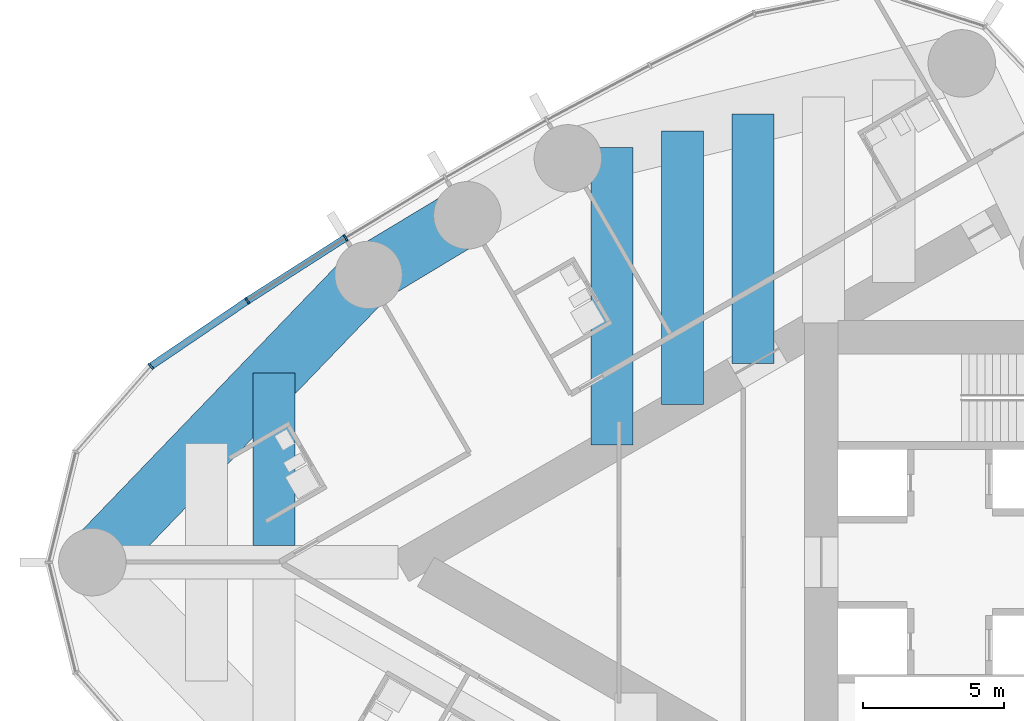
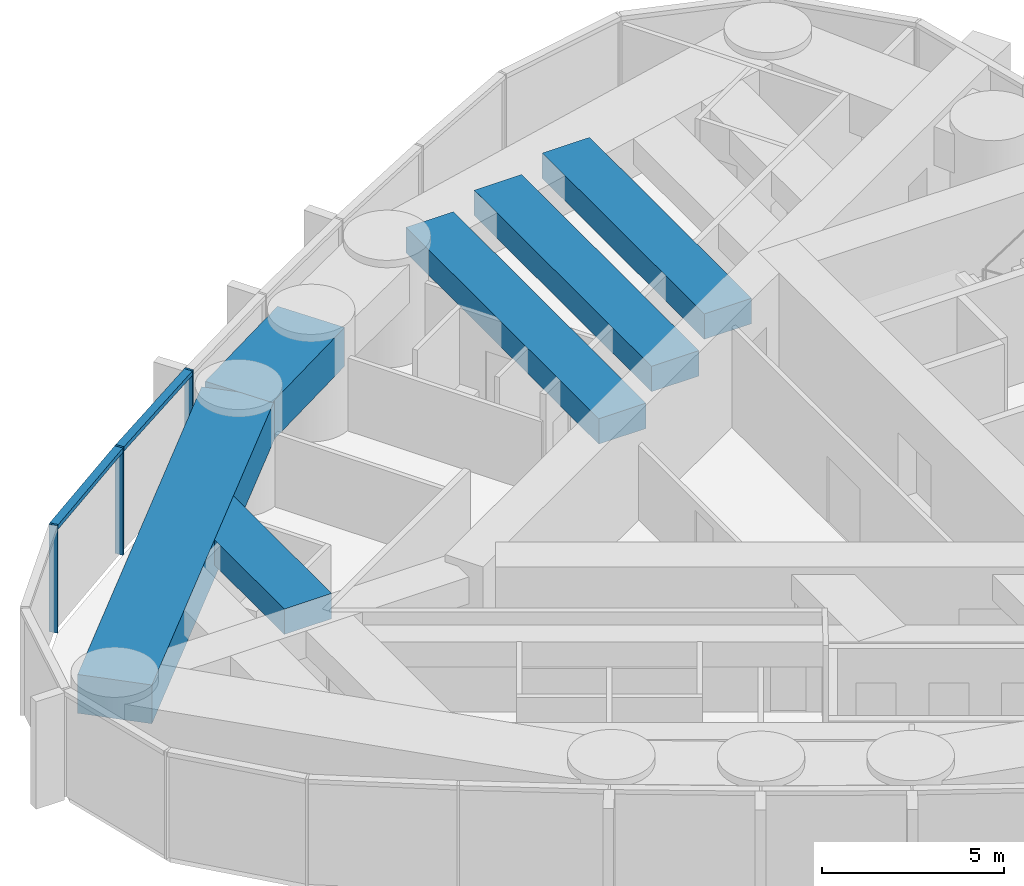
# One storey, part 3 of 22: 6 beams, 5 members, 1 element without a shape of its own.
"""IFC4 building model written with IfcOpenShell, lengths in metres."""

import ifcopenshell
import ifcopenshell.guid

model = None  # the IFC model being written
_history = None  # IfcOwnerHistory: only IFC2X3 demands one
_inside = {}  # id of a spatial element -> (the spatial element, [elements in it])
_under = {}  # id of a project, library or spatial element -> (it, [spatial elements below it])
_declared = {}  # id of a project -> (the project, [libraries it declares])
_typed = {}  # id of a type object -> (the type object, [elements of that type])
_made_of = {}  # id of a material, layer set ... -> (it, [elements and type objects made of it])


def new_model(schema):
    """Start an empty IFC model of exactly this schema.

    Asked for "IFC4X3", IfcOpenShell would pick the latest addendum, in which some entities
    have other attributes; the version numbers below select the first issue.
    IFC2X3 requires an IfcOwnerHistory on every rooted entity: one is made here for all.
    """
    global model, _history
    if schema == "IFC4X3":
        model = ifcopenshell.file(schema_version=(4, 3, 0, 0))
    else:
        model = ifcopenshell.file(schema=schema)
    _inside.clear()
    _under.clear()
    _declared.clear()
    _typed.clear()
    _made_of.clear()
    _history = None
    if model.schema == "IFC2X3":
        org = make("IfcOrganization", Name="unknown")
        user = make(
            "IfcPersonAndOrganization",
            ThePerson=make("IfcPerson", FamilyName="unknown"),
            TheOrganization=org,
        )
        app = make(
            "IfcApplication",
            ApplicationDeveloper=org,
            Version="unknown",
            ApplicationFullName="unknown",
            ApplicationIdentifier="unknown",
        )
        _history = make(
            "IfcOwnerHistory",
            OwningUser=user,
            OwningApplication=app,
            ChangeAction="ADDED",
            CreationDate=0,
        )
    return model


def make(cls, **values):
    """One entity of the class cls with the attributes given. An attribute that is None is left unset."""
    return model.create_entity(
        cls, **{name: value for name, value in values.items() if value is not None}
    )


def rooted(cls, **values):
    """An entity with a GlobalId (a new one), such as an element, a storey or a relation."""
    return make(cls, GlobalId=ifcopenshell.guid.new(), OwnerHistory=_history, **values)


def si_unit(unit_type, name, prefix=None):
    """IfcSIUnit, for example si_unit("LENGTHUNIT", "METRE", prefix="MILLI")."""
    return make("IfcSIUnit", UnitType=unit_type, Prefix=prefix, Name=name)


def assignment(units):
    """IfcUnitAssignment: the units of a project."""
    return None if units is None else make("IfcUnitAssignment", Units=units)


def point(xyz):
    """IfcCartesianPoint."""
    return None if xyz is None else make("IfcCartesianPoint", Coordinates=xyz)


def direction(xyz):
    """IfcDirection."""
    return None if xyz is None else make("IfcDirection", DirectionRatios=xyz)


def frame(location, z_axis=None, x_axis=None):
    """IfcAxis2Placement3D, a coordinate frame: its origin and axes. An axis left out is left unset."""
    return make(
        "IfcAxis2Placement3D",
        Location=point(location),
        Axis=direction(z_axis),
        RefDirection=direction(x_axis),
    )


def frame_2d(location, x_axis=None):
    """IfcAxis2Placement2D, a coordinate frame in the plane: its origin and x axis."""
    return make(
        "IfcAxis2Placement2D", Location=point(location), RefDirection=direction(x_axis)
    )


def origin():
    """The frame at (0, 0, 0) with its axes left unset."""
    return frame((0.0, 0.0, 0.0))


def origin_2d():
    """The frame at (0, 0) in the plane with its x axis left unset."""
    return frame_2d((0.0, 0.0))


def place(relative_to, where):
    """IfcLocalPlacement: puts the frame where relative to a parent placement (None: the world)."""
    return make(
        "IfcLocalPlacement", PlacementRelTo=relative_to, RelativePlacement=where
    )


def context(
    kind, dimensions, precision=None, world=None, true_north=None, identifier=None
):
    """IfcGeometricRepresentationContext, for example the 3D "Model" context."""
    return make(
        "IfcGeometricRepresentationContext",
        ContextIdentifier=identifier,
        ContextType=kind,
        CoordinateSpaceDimension=dimensions,
        Precision=precision,
        WorldCoordinateSystem=world,
        TrueNorth=true_north,
    )


def subcontext(parent, identifier, kind, view, scale=None):
    """IfcGeometricRepresentationSubContext, for example "Body" below "Model"."""
    return make(
        "IfcGeometricRepresentationSubContext",
        ContextIdentifier=identifier,
        ContextType=kind,
        ParentContext=parent,
        TargetScale=scale,
        TargetView=view,
    )


def project(units=None, contexts=None):
    """IfcProject with its units and contexts."""
    return rooted(
        "IfcProject",
        Name="project",
        RepresentationContexts=contexts,
        UnitsInContext=assignment(units),
    )


def spatial(cls, under=None, at=None, **own):
    """A site, building, storey or space (cls), placed at a placement, below another one or the project."""
    s = rooted(cls, ObjectPlacement=at, **own)
    if under is not None:
        _under.setdefault(under.id(), (under, []))[1].append(s)
    return s


def profile(cls, at=None, kind="AREA", **sizes):
    """A parametric profile (cls). Its sizes go by their IFC names, for example OverallWidth=200.0."""
    return make(cls, ProfileType=kind, Position=at, **sizes)


def rectangle(**sizes):
    """IfcRectangleProfileDef."""
    return profile("IfcRectangleProfileDef", **sizes)


def extrude(swept, where, along, depth):
    """IfcExtrudedAreaSolid: the profile swept, set in the frame where, extruded along a direction by depth."""
    return make(
        "IfcExtrudedAreaSolid",
        SweptArea=swept,
        Position=where,
        ExtrudedDirection=direction(along),
        Depth=depth,
    )


def shape(context_of_items, identifier, shape_type, items):
    """IfcShapeRepresentation: the items that make up one representation, for example the "Body"."""
    return make(
        "IfcShapeRepresentation",
        ContextOfItems=context_of_items,
        RepresentationIdentifier=identifier,
        RepresentationType=shape_type,
        Items=items,
    )


def material(Name=None, Category=None):
    """IfcMaterial."""
    return make("IfcMaterial", Name=Name, Category=Category)


def material_profile(
    of_material, cross_section, Name=None, Category=None, Priority=None
):
    """IfcMaterialProfile: a cross section and its material."""
    return make(
        "IfcMaterialProfile",
        Name=Name,
        Material=of_material,
        Profile=cross_section,
        Priority=Priority,
        Category=Category,
    )


def profile_set(profiles, Name=None, composite=None):
    """IfcMaterialProfileSet."""
    return make(
        "IfcMaterialProfileSet",
        Name=Name,
        MaterialProfiles=profiles,
        CompositeProfile=composite,
    )


def made_of(thing, what):
    """Note that an element or type object is made of a material, layer set ...; save() writes the relation."""
    if what is not None:
        _made_of.setdefault(what.id(), (what, []))[1].append(thing)
    return thing


def type_object(cls, material=None, **own):
    """A type object (cls), such as IfcWallType, which elements share."""
    return made_of(rooted(cls, **own), material)


def element(
    cls,
    number,
    at=None,
    inside=None,
    cuts=None,
    type_object=None,
    material=None,
    context=None,
    identifier="Body",
    shape_type=None,
    held_by="IfcProductDefinitionShape",
    body=None,
    shapes=None,
    **own,
):
    """One element of the class cls, such as IfcWall. Its Tag is "e" and its number.

    at: its placement. inside: the storey or other place that contains it. cuts: it is an
    opening in that element (IfcRelVoidsElement). A single representation is given by context,
    identifier, shape_type and body (its items); several are given by shapes. held_by: the class
    of the entity that holds the representations. save() writes the other relations.
    """
    e = rooted(cls, Tag="e%d" % number, ObjectPlacement=at, **own)
    if body is not None:
        shapes = [shape(context, identifier, shape_type, body)]
    if shapes is not None:
        e.Representation = make(held_by, Representations=shapes)
    if inside is not None:
        _inside.setdefault(inside.id(), (inside, []))[1].append(e)
    if cuts is not None:
        rooted(
            "IfcRelVoidsElement", RelatingBuildingElement=cuts, RelatedOpeningElement=e
        )
    if type_object is not None:
        _typed.setdefault(type_object.id(), (type_object, []))[1].append(e)
    return made_of(e, material)


def aggregate(whole, parts):
    """IfcRelAggregates: a whole, such as a stair, and the parts it consists of."""
    return rooted("IfcRelAggregates", RelatingObject=whole, RelatedObjects=parts)


def save(model, path):
    """Write the relations noted so far, then the file.

    IfcRelAggregates (storeys below a building ...), IfcRelContainedInSpatialStructure (elements
    in a storey), IfcRelDefinesByType, IfcRelAssociatesMaterial and IfcRelDeclares: one each for
    every whole, place, type object, material and project.
    """
    for whole, parts in _under.values():
        aggregate(whole, parts)
    for where, things in _inside.values():
        rooted(
            "IfcRelContainedInSpatialStructure",
            RelatedElements=things,
            RelatingStructure=where,
        )
    for kind, things in _typed.values():
        rooted("IfcRelDefinesByType", RelatedObjects=things, RelatingType=kind)
    for what, things in _made_of.values():
        rooted("IfcRelAssociatesMaterial", RelatedObjects=things, RelatingMaterial=what)
    for by, libraries in _declared.values():
        rooted("IfcRelDeclares", RelatingContext=by, RelatedDefinitions=libraries)
    model.write(path)


model = new_model("IFC4")

# Units and contexts
model_context = context("Model", 3, precision=1e-05, world=origin(), true_north=direction((0.0, 1.0)))
body_context = subcontext(model_context, "Body", "Model", "MODEL_VIEW")
ifc_project = project(units=[si_unit("LENGTHUNIT", "METRE"), si_unit("AREAUNIT", "SQUARE_METRE"), si_unit("VOLUMEUNIT", "CUBIC_METRE"), si_unit("PLANEANGLEUNIT", "RADIAN"), si_unit("MASSUNIT", "GRAM", prefix="KILO")], contexts=[model_context])

# Site, building, storey
site_placement = place(None, origin())
site = spatial("IfcSite", under=ifc_project, at=site_placement, CompositionType="ELEMENT")
building_placement = place(site_placement, origin())
building = spatial("IfcBuilding", under=site, at=building_placement, Name="Lancet Gate Hotel", CompositionType="ELEMENT")
storey_placement = place(building_placement, frame((0.0, 0.0, 226.10009765625)))
storey = spatial("IfcBuildingStorey", under=building, at=storey_placement, Name="L60", CompositionType="ELEMENT", Elevation=226.10009765625)

# Curtain wall, members
ifc_material_1 = material(Name="Aluminium curtain wall", Category="aluminium")
curtain_wall_type = type_object("IfcCurtainWallType", Name="Tower unitised curtain wall", PredefinedType="USERDEFINED", material=ifc_material_1)
curtain_wall_placement = place(storey_placement, origin())
curtain_wall = element("IfcCurtainWall", 1, at=curtain_wall_placement, inside=storey, type_object=curtain_wall_type, Name="T1 L60 curtain wall 1", ObjectType="UNITISED CURTAIN WALL", PredefinedType="USERDEFINED")
ifc_material_2 = material(Name="Aluminium mullion", Category="aluminium")
ifc_material_profile_1 = material_profile(ifc_material_2, rectangle(XDim=0.06494140625, YDim=0.25, at=origin_2d()), Name="MULLION 65x250")
ifc_profile_set_1 = profile_set([ifc_material_profile_1], Name="Aluminium mullion")
member_type_1 = type_object("IfcMemberType", Name="Aluminium mullion 65x250", PredefinedType="MULLION", material=ifc_profile_set_1)
member_1_placement = place(storey_placement, frame((-54.225830078125, 11.535400390625, 0.0), z_axis=(0.0, 0.0, 1.0), x_axis=(-0.849342388216, -0.527842313176, 0.0)))
member_1 = element("IfcMember", 2, at=member_1_placement, type_object=member_type_1, Name="T1 L60 curtain wall 1 mullion 9", PredefinedType="MULLION", context=body_context, shape_type="SweptSolid", body=[
    extrude(rectangle(XDim=0.06494140625, YDim=0.25, at=origin_2d()), origin(), (0.0, 0.0, 1.0), 3.599853515625),
])
member_2_placement = place(storey_placement, frame((-57.72021484375, 9.298095703125, 0.0), z_axis=(0.0, 0.0, 1.0), x_axis=(-0.834827178542, -0.550512108829, 0.0)))
member_2 = element("IfcMember", 3, at=member_2_placement, type_object=member_type_1, Name="T1 L60 curtain wall 1 mullion 10", PredefinedType="MULLION", context=body_context, shape_type="SweptSolid", body=[
    extrude(rectangle(XDim=0.06494140625, YDim=0.25, at=origin_2d()), origin(), (0.0, 0.0, 1.0), 3.599853515625),
])
member_3_placement = place(storey_placement, frame((-61.15283203125, 6.967529296875, 0.0), z_axis=(0.0, 0.0, 1.0), x_axis=(-0.750715604757, -0.660625522345, 0.0)))
member_3 = element("IfcMember", 4, at=member_3_placement, type_object=member_type_1, Name="T1 L60 curtain wall 1 mullion 11", PredefinedType="MULLION", context=body_context, shape_type="SweptSolid", body=[
    extrude(rectangle(XDim=0.06494140625, YDim=0.25, at=origin_2d()), origin(), (0.0, 0.0, 1.0), 3.599853515625),
])
ifc_material_3 = material(Name="Aluminium transom", Category="aluminium")
ifc_material_profile_2 = material_profile(ifc_material_3, rectangle(XDim=0.25, YDim=0.14990234375, at=origin_2d()), Name="TRANSOM 250x150")
ifc_profile_set_2 = profile_set([ifc_material_profile_2], Name="Aluminium transom")
member_type_2 = type_object("IfcMemberType", Name="Aluminium transom 250x150", PredefinedType="USERDEFINED", material=ifc_profile_set_2)
member_4_placement = place(storey_placement, frame((-54.253173828125, 11.51806640625, 3.52490234375), z_axis=(-0.842144358733, -0.539252147937, 0.0), x_axis=(0.539252147937, -0.842144358733, 0.0)))
member_4 = element("IfcMember", 5, at=member_4_placement, type_object=member_type_2, Name="T1 L60 curtain wall 1 transom 9", ObjectType="TRANSOM", PredefinedType="USERDEFINED", context=body_context, shape_type="SweptSolid", body=[
    extrude(rectangle(XDim=0.25, YDim=0.14990234375, at=origin_2d()), origin(), (0.0, 0.0, 1.0), 4.084228515625),
])
member_5_placement = place(storey_placement, frame((-57.7470703125, 9.27978515625, 3.52490234375), z_axis=(-0.827348780456, -0.561688521761, 0.0), x_axis=(0.561688521761, -0.827348780456, 0.0)))
member_5 = element("IfcMember", 6, at=member_5_placement, type_object=member_type_2, Name="T1 L60 curtain wall 1 transom 10", ObjectType="TRANSOM", PredefinedType="USERDEFINED", context=body_context, shape_type="SweptSolid", body=[
    extrude(rectangle(XDim=0.25, YDim=0.14990234375, at=origin_2d()), origin(), (0.0, 0.0, 1.0), 4.083984375),
])
aggregate(curtain_wall, [member_1, member_2, member_3, member_4, member_5])

# Beams
ifc_material_4 = material(Name="Concrete C50/60", Category="concrete")
ifc_material_profile_3 = material_profile(ifc_material_4, rectangle(XDim=2.10009765625, YDim=1.300048828125, at=origin_2d()), Name="RC 2100x1300")
ifc_profile_set_3 = profile_set([ifc_material_profile_3], Name="Concrete C50/60")
beam_type_1 = type_object("IfcBeamType", Name="Edge beam RC 2100x1300", PredefinedType="SPANDREL", material=ifc_profile_set_3)
beam_1_placement = place(storey_placement, frame((-49.89013671875, 12.340087890625, 2.699951171875), z_axis=(-0.856358061538, -0.516382484636, 0.0), x_axis=(0.516382484636, -0.856358061538, 0.0)))
element("IfcBeam", 7, at=beam_1_placement, inside=storey, type_object=beam_type_1, Name="T1 edge beam EB1 L60", PredefinedType="SPANDREL", context=body_context, shape_type="SweptSolid", body=[
    extrude(rectangle(XDim=2.10009765625, YDim=1.300048828125, at=origin_2d()), origin(), (0.0, 0.0, 1.0), 4.107666015625),
])
beam_2_placement = place(storey_placement, frame((-53.40771484375, 10.218994140625, 2.699951171875), z_axis=(-0.693134527053, -0.720808245934, 0.0), x_axis=(0.720808245934, -0.693134527053, 0.0)))
element("IfcBeam", 8, at=beam_2_placement, inside=storey, type_object=beam_type_1, Name="T1 edge beam EB1 L60", PredefinedType="SPANDREL", context=body_context, shape_type="SweptSolid", body=[
    extrude(rectangle(XDim=2.10009765625, YDim=1.300048828125, at=origin_2d()), origin(), (0.0, 0.0, 1.0), 14.17724609375),
])
ifc_material_5 = material(Name="Concrete C50/60", Category="concrete")
ifc_material_profile_4 = material_profile(ifc_material_5, rectangle(XDim=1.5, YDim=0.85009765625, at=origin_2d()), Name="RC 1500x850")
ifc_profile_set_4 = profile_set([ifc_material_profile_4], Name="Concrete C50/60")
beam_type_2 = type_object("IfcBeamType", Name="Floor beam RC 1500x850", PredefinedType="BEAM", material=ifc_profile_set_4)
beam_3_placement = place(storey_placement, frame((-39.734130859375, 15.952880859375, 2.9248046875), z_axis=(0.0, -1.0, 0.0), x_axis=(1.0, 0.0, 0.0)))
element("IfcBeam", 9, at=beam_3_placement, inside=storey, type_object=beam_type_2, Name="T1 floor beam F05S L60", PredefinedType="BEAM", context=body_context, shape_type="SweptSolid", body=[
    extrude(rectangle(XDim=1.5, YDim=0.85009765625, at=origin_2d()), origin(), (0.0, 0.0, 1.0), 8.889404296875),
])
beam_4_placement = place(storey_placement, frame((-42.240966796875, 15.348388671875, 2.9248046875), z_axis=(0.0, -1.0, 0.0), x_axis=(1.0, 0.0, 0.0)))
element("IfcBeam", 10, at=beam_4_placement, inside=storey, type_object=beam_type_2, Name="T1 floor beam F06S L60", PredefinedType="BEAM", context=body_context, shape_type="SweptSolid", body=[
    extrude(rectangle(XDim=1.5, YDim=0.85009765625, at=origin_2d()), origin(), (0.0, 0.0, 1.0), 9.732421875),
])
beam_5_placement = place(storey_placement, frame((-44.747802734375, 14.743896484375, 2.9248046875), z_axis=(0.0, -1.0, 0.0), x_axis=(1.0, 0.0, 0.0)))
element("IfcBeam", 11, at=beam_5_placement, inside=storey, type_object=beam_type_2, Name="T1 floor beam F08S L60", PredefinedType="BEAM", context=body_context, shape_type="SweptSolid", body=[
    extrude(rectangle(XDim=1.5, YDim=0.85009765625, at=origin_2d()), origin(), (0.0, 0.0, 1.0), 10.5751953125),
])
beam_6_placement = place(storey_placement, frame((-56.768310546875, 6.72412109375, 2.9248046875), z_axis=(0.0, -1.0, 0.0), x_axis=(1.0, 0.0, 0.0)))
element("IfcBeam", 12, at=beam_6_placement, inside=storey, type_object=beam_type_2, Name="T1 floor beam F09S L60", PredefinedType="BEAM", context=body_context, shape_type="SweptSolid", body=[
    extrude(rectangle(XDim=1.5, YDim=0.85009765625, at=origin_2d()), origin(), (0.0, 0.0, 1.0), 6.1240234375),
])

save(model, "model.ifc")
